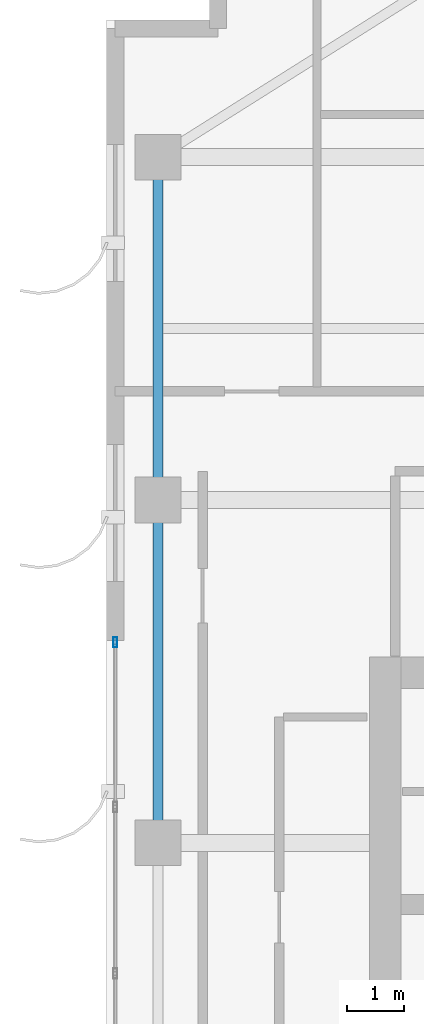
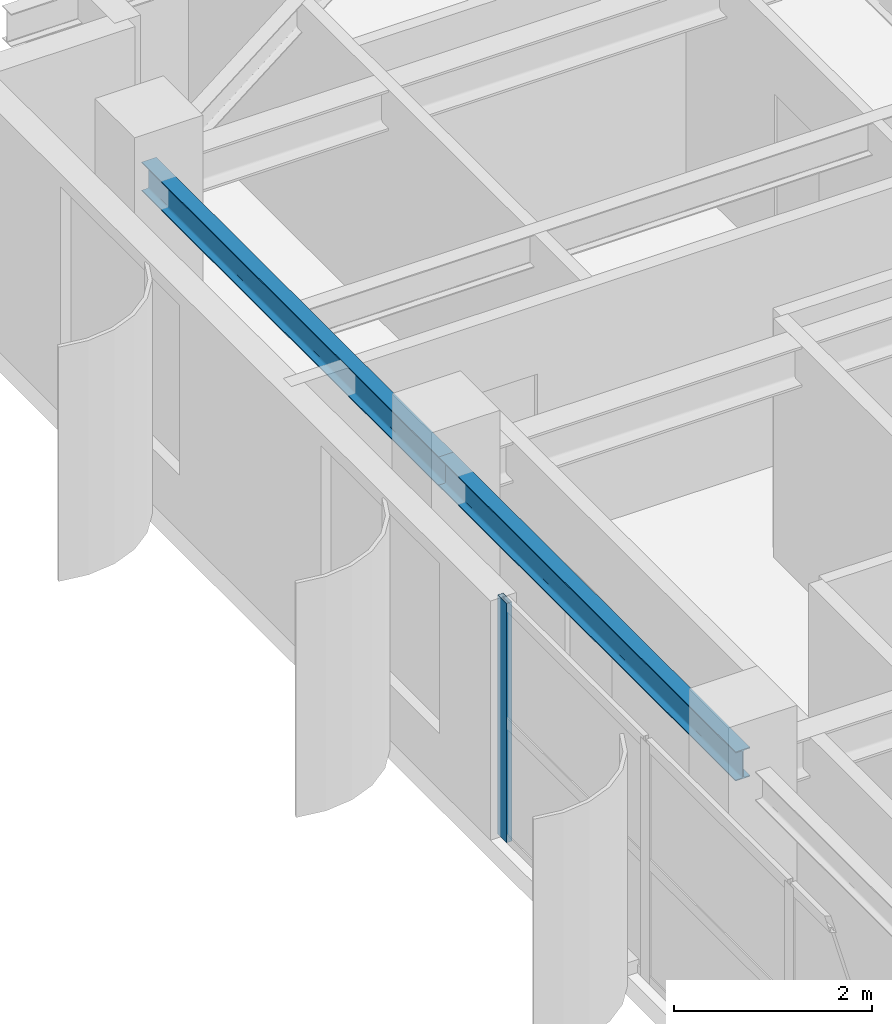
# One storey, part 9 of 25: 2 beams, 1 member, 1 element without a shape of its own.
"""IFC4 building model written with IfcOpenShell, lengths in metres."""

from ifc_helpers import new_model, si_unit, direction, frame, origin, origin_2d, place, context, subcontext, project, spatial, hollow_rectangle, i_section, extrude, source, transform, mapped, material, layer, layer_set, material_profile, profile_set, type_object, element, aggregate, save


model = new_model("IFC4")

# Units and contexts
model_context = context("Model", 3, precision=1e-05, world=origin(), true_north=direction((0.0, 1.0)))
body_context = subcontext(model_context, "Body", "Model", "MODEL_VIEW")
ifc_project = project(units=[si_unit("LENGTHUNIT", "METRE"), si_unit("AREAUNIT", "SQUARE_METRE"), si_unit("VOLUMEUNIT", "CUBIC_METRE"), si_unit("PLANEANGLEUNIT", "RADIAN"), si_unit("MASSUNIT", "GRAM", prefix="KILO")], contexts=[model_context])

# Site, building, storey
site_placement = place(None, origin())
site = spatial("IfcSite", under=ifc_project, at=site_placement, CompositionType="ELEMENT")
building_placement = place(site_placement, origin())
building = spatial("IfcBuilding", under=site, at=building_placement, Name="Khoralis Quay Care Tower", CompositionType="ELEMENT")
storey_placement = place(building_placement, frame((0.0, 0.0, 263.699951171875)))
storey = spatial("IfcBuildingStorey", under=building, at=storey_placement, Name="L69", CompositionType="ELEMENT", Elevation=263.699951171875)

# Beams
ifc_material_1 = material(Name="Steel S355", Category="steel")
ifc_material_profile_1 = material_profile(ifc_material_1, i_section(OverallWidth=0.169921875, OverallDepth=0.360107421875, WebThickness=0.008056640625, FlangeThickness=0.0126953125, FilletRadius=0.01806640625, at=origin_2d()), Name="Steel S355")
ifc_profile_set_1 = profile_set([ifc_material_profile_1], Name="Steel S355")
beam_type = type_object("IfcBeamType", Name="BM-IPE360", PredefinedType="SPANDREL", material=ifc_profile_set_1)
shared_shape_1 = source(origin(), body_context, "Body", "SweptSolid", [
    extrude(i_section(OverallWidth=0.169921875, OverallDepth=0.360107421875, WebThickness=0.008056640625, FlangeThickness=0.0126953125, FilletRadius=0.01806640625, at=origin_2d()), origin(), (0.0, 0.0, 1.0), 6.0),
])
for number, where, z_axis, x_axis, name in (
    (1, (3.89990234375, 24.0, 2.77001953125), (0.0, 1.0, 0.0), (-1.0, 0.0, 0.0), "BM-TSP-L69-09"),
    (2, (3.89990234375, 30.0, 2.77001953125), (0.0, 1.0, 0.0), (-1.0, 0.0, 0.0), "BM-TSP-L69-10"),
):
    element("IfcBeam", number, at=place(storey_placement, frame(where, z_axis=z_axis, x_axis=x_axis)), inside=storey, type_object=beam_type, Name=name, PredefinedType="SPANDREL", context=body_context, shape_type="MappedRepresentation", body=[
        mapped(shared_shape_1, transform((0.0, 0.0, 0.0), scale=1.0)),
    ])

# Curtain wall, member
ifc_material_2 = material(Name="Pale anodised aluminium", Category="aluminium")
ifc_layer = layer(ifc_material_2, 0.159912109375)
ifc_layer_set = layer_set([ifc_layer], Name="Pale anodised aluminium")
curtain_wall_type = type_object("IfcCurtainWallType", Name="CW-SYS-Z3", PredefinedType="NOTDEFINED", material=ifc_layer_set)
curtain_wall_placement = place(storey_placement, origin())
curtain_wall = element("IfcCurtainWall", 3, at=curtain_wall_placement, inside=storey, type_object=curtain_wall_type, Name="L69 Unitised Curtain Wall CW-L69-P1-E7", PredefinedType="NOTDEFINED")
ifc_material_profile_2 = material_profile(ifc_material_2, hollow_rectangle(XDim=0.06494140625, YDim=0.179931640625, WallThickness=0.00390625, at=origin_2d()), Name="Pale anodised aluminium")
ifc_profile_set_2 = profile_set([ifc_material_profile_2], Name="Pale anodised aluminium")
member_type = type_object("IfcMemberType", Name="CW-MUL-180", PredefinedType="MULLION", material=ifc_profile_set_2)
shared_shape_2 = source(origin(), body_context, "Body", "SweptSolid", [
    extrude(hollow_rectangle(XDim=0.06494140625, YDim=0.179931640625, WallThickness=0.00390625, at=origin_2d()), origin(), (0.0, 0.0, 1.0), 2.949951171875),
])
member_placement = place(storey_placement, frame((3.14990234375, 27.510009765625, 0.0), z_axis=(0.0, 0.0, 1.0), x_axis=(1.0, 0.0, 0.0)))
member = element("IfcMember", 4, at=member_placement, type_object=member_type, Name="CW3 mullion 1", PredefinedType="MULLION", context=body_context, shape_type="MappedRepresentation", body=[
    mapped(shared_shape_2, transform((0.0, 0.0, 0.0), scale=1.0)),
])
aggregate(curtain_wall, [member])

save(model, "model.ifc")
